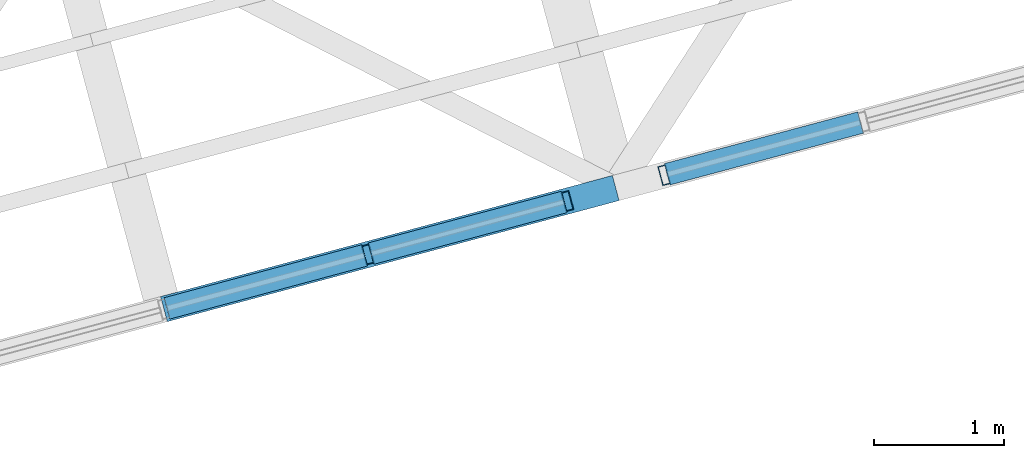
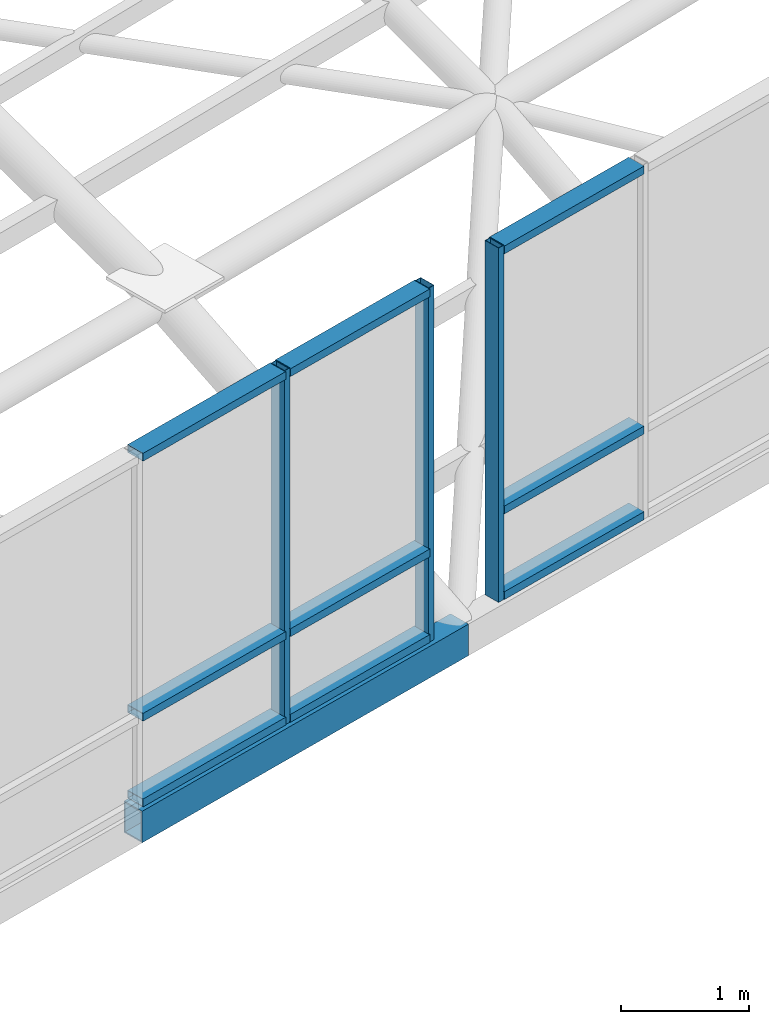
# One storey, part 4 of 29: 13 members, 2 elements without a shape of their own.
"""IFC4 building model written with IfcOpenShell, lengths in metres."""

from ifc_helpers import new_model, si_unit, direction, frame, origin, origin_2d, place, context, subcontext, project, spatial, hollow_rectangle, extrude, material, layer, layer_set, material_profile, profile_set, type_object, element, aggregate, save


model = new_model("IFC4")

# Units and contexts
model_context = context("Model", 3, precision=1e-05, world=origin(), true_north=direction((0.0, 1.0)))
body_context = subcontext(model_context, "Body", "Model", "MODEL_VIEW")
ifc_project = project(units=[si_unit("LENGTHUNIT", "METRE"), si_unit("AREAUNIT", "SQUARE_METRE"), si_unit("VOLUMEUNIT", "CUBIC_METRE"), si_unit("PLANEANGLEUNIT", "RADIAN"), si_unit("MASSUNIT", "GRAM", prefix="KILO")], contexts=[model_context])

# Site, building, storey
site_placement = place(None, origin())
site = spatial("IfcSite", under=ifc_project, at=site_placement, CompositionType="ELEMENT")
building_placement = place(site_placement, origin())
building = spatial("IfcBuilding", under=site, at=building_placement, Name="Ventoquebrada Cableway Terminal", CompositionType="ELEMENT")
storey_placement = place(building_placement, frame((0.0, 0.0, 18.89990234375)))
storey = spatial("IfcBuildingStorey", under=building, at=storey_placement, Name="L04", CompositionType="ELEMENT", Elevation=18.89990234375)

# Member
ifc_material_1 = material(Name="Steel ASTM A500 Grade C", Category="steel")
ifc_material_profile_1 = material_profile(ifc_material_1, hollow_rectangle(XDim=0.199951171875, YDim=0.300048828125, WallThickness=0.012451171875, at=origin_2d()), Name="RHS300X200X12.5")
ifc_profile_set_1 = profile_set([ifc_material_profile_1], Name="Steel ASTM A500 Grade C")
member_type_1 = type_object("IfcMemberType", Name="CHD-GS03", PredefinedType="CHORD", material=ifc_profile_set_1)
member_1_placement = place(storey_placement, frame((69.364990234375, 74.443115234375, 0.920166015625), z_axis=(0.965911114263, 0.258873944891, 0.0), x_axis=(-0.258873944891, 0.965911114263, 0.0)))
element("IfcMember", 1, at=member_1_placement, inside=storey, type_object=member_type_1, Name="Saddle gridshell longitudinal chord GLG-0108", PredefinedType="CHORD", context=body_context, shape_type="SweptSolid", body=[
    extrude(hollow_rectangle(XDim=0.199951171875, YDim=0.300048828125, WallThickness=0.012451171875, at=origin_2d()), origin(), (0.0, 0.0, 1.0), 3.599853515625),
])

# Curtain wall, members
ifc_material_2 = material(Name="Anodized thermally-broken aluminium", Category="aluminium")
ifc_layer = layer(ifc_material_2, 0.159912109375)
ifc_layer_set = layer_set([ifc_layer], Name="Anodized thermally-broken aluminium")
curtain_wall_type = type_object("IfcCurtainWallType", Name="CW-T45", PredefinedType="USERDEFINED", material=ifc_layer_set)
curtain_wall_1_placement = place(storey_placement, origin())
curtain_wall_1 = element("IfcCurtainWall", 2, at=curtain_wall_1_placement, inside=storey, type_object=curtain_wall_type, Name="Unitised glazed curtain wall CW-135", ObjectType="UNITISED CURTAIN WALL", PredefinedType="USERDEFINED")
ifc_material_profile_2 = material_profile(ifc_material_2, hollow_rectangle(XDim=0.06005859375, YDim=0.14990234375, WallThickness=0.00390625, at=origin_2d()), Name="CW-MUL-60X150")
ifc_profile_set_2 = profile_set([ifc_material_profile_2], Name="Anodized thermally-broken aluminium")
member_type_2 = type_object("IfcMemberType", Name="CWM-03", PredefinedType="MULLION", material=ifc_profile_set_2)
member_2_placement = place(storey_placement, frame((70.93408203125, 74.864013671875, 1.087158203125), z_axis=(0.0, 0.0, 1.0), x_axis=(0.965943892913, 0.258751610128, 0.0)))
member_2 = element("IfcMember", 3, at=member_2_placement, type_object=member_type_2, Name="Curtain wall mullion FML-0659", PredefinedType="MULLION", context=body_context, shape_type="SweptSolid", body=[
    extrude(hollow_rectangle(XDim=0.06005859375, YDim=0.14990234375, WallThickness=0.00390625, at=origin_2d()), origin(), (0.0, 0.0, 1.0), 3.373046875),
])
member_3_placement = place(storey_placement, frame((72.469970703125, 75.27490234375, 1.087158203125), z_axis=(0.0, 0.0, 1.0), x_axis=(0.965943892913, 0.258751610128, 0.0)))
member_3 = element("IfcMember", 4, at=member_3_placement, type_object=member_type_2, Name="Curtain wall mullion FML-0660", PredefinedType="MULLION", context=body_context, shape_type="SweptSolid", body=[
    extrude(hollow_rectangle(XDim=0.06005859375, YDim=0.14990234375, WallThickness=0.00390625, at=origin_2d()), origin(), (0.0, 0.0, 1.0), 3.373046875),
])

# Curtain wall, member
curtain_wall_2_placement = place(storey_placement, origin())
curtain_wall_2 = element("IfcCurtainWall", 5, at=curtain_wall_2_placement, inside=storey, type_object=curtain_wall_type, Name="Unitised glazed curtain wall CW-136", ObjectType="UNITISED CURTAIN WALL", PredefinedType="USERDEFINED")
member_4_placement = place(storey_placement, frame((73.214111328125, 75.47412109375, 1.087158203125), z_axis=(0.0, 0.0, 1.0), x_axis=(0.965903236389, 0.258903337047, 0.0)))
member_4 = element("IfcMember", 6, at=member_4_placement, type_object=member_type_2, Name="Curtain wall mullion FML-0661", PredefinedType="MULLION", context=body_context, shape_type="SweptSolid", body=[
    extrude(hollow_rectangle(XDim=0.06005859375, YDim=0.14990234375, WallThickness=0.00390625, at=origin_2d()), origin(), (0.0, 0.0, 1.0), 3.373046875),
])

# Member
ifc_material_profile_3 = material_profile(ifc_material_2, hollow_rectangle(XDim=0.074951171875, YDim=0.169921875, WallThickness=0.00439453125, at=origin_2d()), Name="CW-TRN-75X170")
ifc_profile_set_3 = profile_set([ifc_material_profile_3], Name="Anodized thermally-broken aluminium")
member_type_3 = type_object("IfcMemberType", Name="CWT-03", PredefinedType="USERDEFINED", material=ifc_profile_set_3)
member_5_placement = place(storey_placement, frame((69.388916015625, 74.448974609375, 1.130126953125), z_axis=(0.965860816082, 0.259061544731, 0.0), x_axis=(0.0, 0.0, 1.0)))
member_5 = element("IfcMember", 7, at=member_5_placement, type_object=member_type_3, Name="Curtain wall transom FTR-1950", ObjectType="TRANSOM", PredefinedType="USERDEFINED", context=body_context, shape_type="SweptSolid", body=[
    extrude(hollow_rectangle(XDim=0.074951171875, YDim=0.169921875, WallThickness=0.00439453125, at=origin_2d()), origin(), (0.0, 0.0, 1.0), 1.57470703125),
])

member_6_placement = place(storey_placement, frame((69.388916015625, 74.448974609375, 1.945068359375), z_axis=(0.965860816082, 0.259061544731, 0.0), x_axis=(0.0, 0.0, 1.0)))
member_6 = element("IfcMember", 8, at=member_6_placement, type_object=member_type_3, Name="Curtain wall transom FTR-1951", ObjectType="TRANSOM", PredefinedType="USERDEFINED", context=body_context, shape_type="SweptSolid", body=[
    extrude(hollow_rectangle(XDim=0.074951171875, YDim=0.169921875, WallThickness=0.00439453125, at=origin_2d()), origin(), (0.0, 0.0, 1.0), 1.57470703125),
])

member_7_placement = place(storey_placement, frame((69.388916015625, 74.448974609375, 4.420166015625), z_axis=(0.965860816082, 0.259061544731, 0.0), x_axis=(0.0, 0.0, 1.0)))
member_7 = element("IfcMember", 9, at=member_7_placement, type_object=member_type_3, Name="Curtain wall transom FTR-1952", ObjectType="TRANSOM", PredefinedType="USERDEFINED", context=body_context, shape_type="SweptSolid", body=[
    extrude(hollow_rectangle(XDim=0.074951171875, YDim=0.169921875, WallThickness=0.00439453125, at=origin_2d()), origin(), (0.0, 0.0, 1.0), 1.57470703125),
])

member_8_placement = place(storey_placement, frame((70.9580078125, 74.8701171875, 1.130126953125), z_axis=(0.966050544784, 0.25835313995, 0.0), x_axis=(0.0, 0.0, 1.0)))
member_8 = element("IfcMember", 10, at=member_8_placement, type_object=member_type_3, Name="Curtain wall transom FTR-1953", ObjectType="TRANSOM", PredefinedType="USERDEFINED", context=body_context, shape_type="SweptSolid", body=[
    extrude(hollow_rectangle(XDim=0.074951171875, YDim=0.169921875, WallThickness=0.00439453125, at=origin_2d()), origin(), (0.0, 0.0, 1.0), 1.540283203125),
])

member_9_placement = place(storey_placement, frame((70.9580078125, 74.8701171875, 1.945068359375), z_axis=(0.966050544784, 0.25835313995, 0.0), x_axis=(0.0, 0.0, 1.0)))
member_9 = element("IfcMember", 11, at=member_9_placement, type_object=member_type_3, Name="Curtain wall transom FTR-1954", ObjectType="TRANSOM", PredefinedType="USERDEFINED", context=body_context, shape_type="SweptSolid", body=[
    extrude(hollow_rectangle(XDim=0.074951171875, YDim=0.169921875, WallThickness=0.00439453125, at=origin_2d()), origin(), (0.0, 0.0, 1.0), 1.540283203125),
])

member_10_placement = place(storey_placement, frame((70.9580078125, 74.8701171875, 4.420166015625), z_axis=(0.966050544784, 0.25835313995, 0.0), x_axis=(0.0, 0.0, 1.0)))
member_10 = element("IfcMember", 12, at=member_10_placement, type_object=member_type_3, Name="Curtain wall transom FTR-1955", ObjectType="TRANSOM", PredefinedType="USERDEFINED", context=body_context, shape_type="SweptSolid", body=[
    extrude(hollow_rectangle(XDim=0.074951171875, YDim=0.169921875, WallThickness=0.00439453125, at=origin_2d()), origin(), (0.0, 0.0, 1.0), 1.540283203125),
])

aggregate(curtain_wall_1, [member_2, member_3, member_5, member_6, member_7, member_8, member_9, member_10])

member_11_placement = place(storey_placement, frame((73.238037109375, 75.48095703125, 1.130126953125), z_axis=(0.966050544784, 0.25835313995, 0.0), x_axis=(0.0, 0.0, 1.0)))
member_11 = element("IfcMember", 13, at=member_11_placement, type_object=member_type_3, Name="Curtain wall transom FTR-1956", ObjectType="TRANSOM", PredefinedType="USERDEFINED", context=body_context, shape_type="SweptSolid", body=[
    extrude(hollow_rectangle(XDim=0.074951171875, YDim=0.169921875, WallThickness=0.00439453125, at=origin_2d()), origin(), (0.0, 0.0, 1.0), 1.540283203125),
])

member_12_placement = place(storey_placement, frame((73.238037109375, 75.48095703125, 1.945068359375), z_axis=(0.966050544784, 0.25835313995, 0.0), x_axis=(0.0, 0.0, 1.0)))
member_12 = element("IfcMember", 14, at=member_12_placement, type_object=member_type_3, Name="Curtain wall transom FTR-1957", ObjectType="TRANSOM", PredefinedType="USERDEFINED", context=body_context, shape_type="SweptSolid", body=[
    extrude(hollow_rectangle(XDim=0.074951171875, YDim=0.169921875, WallThickness=0.00439453125, at=origin_2d()), origin(), (0.0, 0.0, 1.0), 1.540283203125),
])

member_13_placement = place(storey_placement, frame((73.238037109375, 75.48095703125, 4.420166015625), z_axis=(0.966050544784, 0.25835313995, 0.0), x_axis=(0.0, 0.0, 1.0)))
member_13 = element("IfcMember", 15, at=member_13_placement, type_object=member_type_3, Name="Curtain wall transom FTR-1958", ObjectType="TRANSOM", PredefinedType="USERDEFINED", context=body_context, shape_type="SweptSolid", body=[
    extrude(hollow_rectangle(XDim=0.074951171875, YDim=0.169921875, WallThickness=0.00439453125, at=origin_2d()), origin(), (0.0, 0.0, 1.0), 1.540283203125),
])

aggregate(curtain_wall_2, [member_4, member_11, member_12, member_13])

save(model, "model.ifc")
